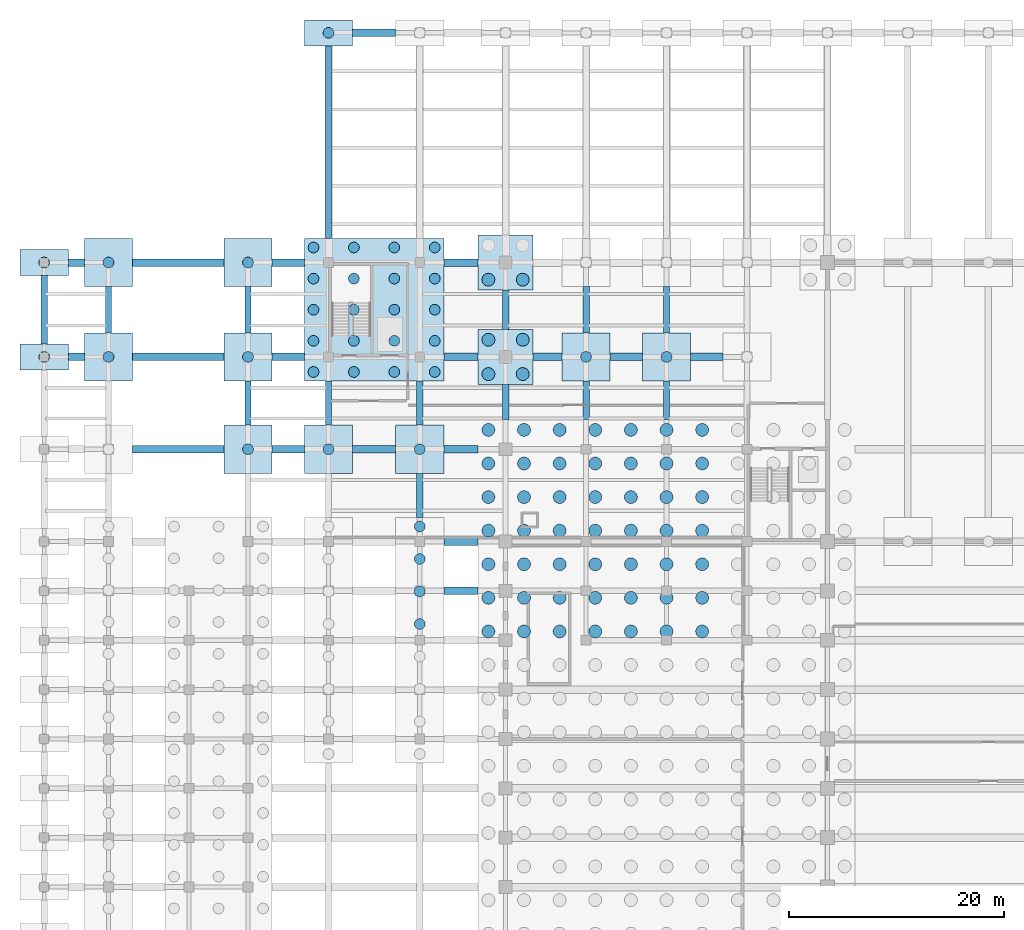
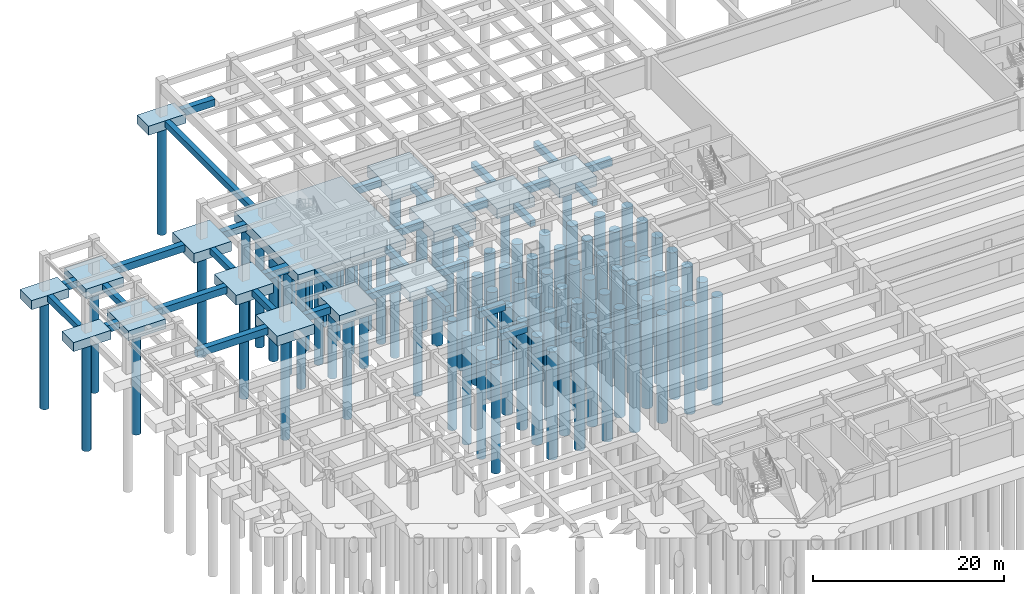
# One storey, part 5 of 32: 91 piles, 47 footings.
"""IFC4 building model written with IfcOpenShell, lengths in metres."""

from ifc_helpers import new_model, si_unit, direction, frame, origin, origin_2d, place, context, subcontext, project, spatial, rectangle, circle, extrude, material, material_profile, profile_set, type_object, element, save


model = new_model("IFC4")

# Units and contexts
model_context = context("Model", 3, precision=1e-05, world=origin(), true_north=direction((0.0, 1.0)))
body_context = subcontext(model_context, "Body", "Model", "MODEL_VIEW")
ifc_project = project(units=[si_unit("LENGTHUNIT", "METRE"), si_unit("AREAUNIT", "SQUARE_METRE"), si_unit("VOLUMEUNIT", "CUBIC_METRE"), si_unit("PLANEANGLEUNIT", "RADIAN"), si_unit("MASSUNIT", "GRAM", prefix="KILO")], contexts=[model_context])

# Site, building, storey
site_placement = place(None, origin())
site = spatial("IfcSite", under=ifc_project, at=site_placement, CompositionType="ELEMENT")
building_placement = place(site_placement, origin())
building = spatial("IfcBuilding", under=site, at=building_placement, Name="Muzn Square Opera House", CompositionType="ELEMENT")
storey_placement = place(building_placement, frame((0.0, 0.0, -4.199951171875)))
storey = spatial("IfcBuildingStorey", under=building, at=storey_placement, Name="B1", CompositionType="ELEMENT", Elevation=-4.199951171875)

# Piles
ifc_material = material(Name="Concrete C40/50", Category="concrete")
ifc_material_profile_1 = material_profile(ifc_material, circle(Radius=0.5, at=origin_2d()), Name="BORED PILE D1000", Category="concrete")
ifc_profile_set_1 = profile_set([ifc_material_profile_1], Name="Concrete C40/50")
pile_type_1 = type_object("IfcPileType", Name="Bored Pile D1000", PredefinedType="BORED", material=ifc_profile_set_1)
for number, where, z_axis, x_axis, name in (
    (1, (35.0, 64.914306640625, -1.570068359375), (0.0, 0.0, -1.0), (1.0, 0.0, 0.0), "Bored Pile BP-B1-BP-D1000-350_649-714"),
    (2, (35.0, 67.94287109375, -1.570068359375), (0.0, 0.0, -1.0), (1.0, 0.0, 0.0), "Bored Pile BP-B1-BP-D1000-350_679-715"),
    (3, (35.0, 70.971435546875, -1.570068359375), (0.0, 0.0, -1.0), (1.0, 0.0, 0.0), "Bored Pile BP-B1-BP-D1000-350_710-716"),
    (4, (35.0, 74.0, -1.570068359375), (0.0, 0.0, -1.0), (1.0, 0.0, 0.0), "Bored Pile BP-B1-BP-D1000-350_740-717"),
    (5, (19.0, 81.199951171875, -1.570068359375), (0.0, 0.0, -1.0), (1.0, 0.0, 0.0), "Bored Pile BP-B1-BP-D1000-190_812-748"),
    (6, (26.5, 81.199951171875, -1.570068359375), (0.0, 0.0, -1.0), (1.0, 0.0, 0.0), "Bored Pile BP-B1-BP-D1000-265_812-749"),
    (7, (35.0, 81.199951171875, -1.570068359375), (0.0, 0.0, -1.0), (1.0, 0.0, 0.0), "Bored Pile BP-B1-BP-D1000-350_812-750"),
    (8, (6.0, 89.800048828125, -1.570068359375), (0.0, 0.0, -1.0), (1.0, 0.0, 0.0), "Bored Pile BP-B1-BP-D1000-60_898-775"),
    (9, (19.0, 89.800048828125, -1.570068359375), (0.0, 0.0, -1.0), (1.0, 0.0, 0.0), "Bored Pile BP-B1-BP-D1000-190_898-776"),
    (10, (25.10009765625, 88.39990234375, -1.570068359375), (0.0, 0.0, -1.0), (1.0, 0.0, 0.0), "Bored Pile BP-B1-BP-D1000-251_884-777"),
    (11, (25.10009765625, 91.300048828125, -1.570068359375), (0.0, 0.0, -1.0), (1.0, 0.0, 0.0), "Bored Pile BP-B1-BP-D1000-251_913-778"),
    (12, (25.10009765625, 94.199951171875, -1.570068359375), (0.0, 0.0, -1.0), (1.0, 0.0, 0.0), "Bored Pile BP-B1-BP-D1000-251_942-779"),
    (13, (25.10009765625, 97.10009765625, -1.570068359375), (0.0, 0.0, -1.0), (1.0, 0.0, 0.0), "Bored Pile BP-B1-BP-D1000-251_971-780"),
    (14, (25.10009765625, 100.0, -1.570068359375), (0.0, 0.0, -1.0), (1.0, 0.0, 0.0), "Bored Pile BP-B1-BP-D1000-251_1000-781"),
    (15, (28.86669921875, 88.39990234375, -1.570068359375), (0.0, 0.0, -1.0), (1.0, 0.0, 0.0), "Bored Pile BP-B1-BP-D1000-289_884-782"),
    (16, (28.86669921875, 91.300048828125, -1.570068359375), (0.0, 0.0, -1.0), (1.0, 0.0, 0.0), "Bored Pile BP-B1-BP-D1000-289_913-783"),
    (17, (28.86669921875, 94.199951171875, -1.570068359375), (0.0, 0.0, -1.0), (1.0, 0.0, 0.0), "Bored Pile BP-B1-BP-D1000-289_942-784"),
    (18, (28.86669921875, 97.10009765625, -1.570068359375), (0.0, 0.0, -1.0), (1.0, 0.0, 0.0), "Bored Pile BP-B1-BP-D1000-289_971-785"),
    (19, (28.86669921875, 100.0, -1.570068359375), (0.0, 0.0, -1.0), (1.0, 0.0, 0.0), "Bored Pile BP-B1-BP-D1000-289_1000-786"),
    (20, (32.63330078125, 88.39990234375, -1.570068359375), (0.0, 0.0, -1.0), (1.0, 0.0, 0.0), "Bored Pile BP-B1-BP-D1000-326_884-787"),
    (21, (32.63330078125, 91.300048828125, -1.570068359375), (0.0, 0.0, -1.0), (1.0, 0.0, 0.0), "Bored Pile BP-B1-BP-D1000-326_913-788"),
    (22, (32.63330078125, 94.199951171875, -1.570068359375), (0.0, 0.0, -1.0), (1.0, 0.0, 0.0), "Bored Pile BP-B1-BP-D1000-326_942-789"),
    (23, (32.63330078125, 97.10009765625, -1.570068359375), (0.0, 0.0, -1.0), (1.0, 0.0, 0.0), "Bored Pile BP-B1-BP-D1000-326_971-790"),
    (24, (32.63330078125, 100.0, -1.570068359375), (0.0, 0.0, -1.0), (1.0, 0.0, 0.0), "Bored Pile BP-B1-BP-D1000-326_1000-791"),
    (25, (36.39990234375, 88.39990234375, -1.570068359375), (0.0, 0.0, -1.0), (1.0, 0.0, 0.0), "Bored Pile BP-B1-BP-D1000-364_884-792"),
    (26, (36.39990234375, 91.300048828125, -1.570068359375), (0.0, 0.0, -1.0), (1.0, 0.0, 0.0), "Bored Pile BP-B1-BP-D1000-364_913-793"),
    (27, (36.39990234375, 94.199951171875, -1.570068359375), (0.0, 0.0, -1.0), (1.0, 0.0, 0.0), "Bored Pile BP-B1-BP-D1000-364_942-794"),
    (28, (36.39990234375, 97.10009765625, -1.570068359375), (0.0, 0.0, -1.0), (1.0, 0.0, 0.0), "Bored Pile BP-B1-BP-D1000-364_971-795"),
    (29, (36.39990234375, 100.0, -1.570068359375), (0.0, 0.0, -1.0), (1.0, 0.0, 0.0), "Bored Pile BP-B1-BP-D1000-364_1000-796"),
    (30, (50.5, 89.800048828125, -1.570068359375), (0.0, 0.0, -1.0), (1.0, 0.0, 0.0), "Bored Pile BP-B1-BP-D1000-505_898-797"),
    (31, (58.0, 89.800048828125, -1.570068359375), (0.0, 0.0, -1.0), (1.0, 0.0, 0.0), "Bored Pile BP-B1-BP-D1000-580_898-798"),
):
    element("IfcPile", number, at=place(storey_placement, frame(where, z_axis=z_axis, x_axis=x_axis)), inside=storey, type_object=pile_type_1, Name=name, PredefinedType="BORED", context=body_context, shape_type="SweptSolid", body=[
        extrude(circle(Radius=0.5, at=origin_2d()), origin(), (0.0, 0.0, 1.0), 13.929931640625),
    ])
pile_placement = place(storey_placement, frame((0.0, 89.800048828125, -1.469970703125), z_axis=(0.0, 0.0, -1.0), x_axis=(1.0, 0.0, 0.0)))
element("IfcPile", 32, at=pile_placement, inside=storey, type_object=pile_type_1, Name="Bored Pile BP-B1-BP-D1000-0_898-807", PredefinedType="BORED", context=body_context, shape_type="SweptSolid", body=[
    extrude(circle(Radius=0.5, at=origin_2d()), origin(), (0.0, 0.0, 1.0), 14.030029296875),
])
for number, where, z_axis, x_axis, name in (
    (33, (6.0, 98.60009765625, -1.570068359375), (0.0, 0.0, -1.0), (1.0, 0.0, 0.0), "Bored Pile BP-B1-BP-D1000-60_986-821"),
    (34, (19.0, 98.60009765625, -1.570068359375), (0.0, 0.0, -1.0), (1.0, 0.0, 0.0), "Bored Pile BP-B1-BP-D1000-190_986-822"),
):
    element("IfcPile", number, at=place(storey_placement, frame(where, z_axis=z_axis, x_axis=x_axis)), inside=storey, type_object=pile_type_1, Name=name, PredefinedType="BORED", context=body_context, shape_type="SweptSolid", body=[
        extrude(circle(Radius=0.5, at=origin_2d()), origin(), (0.0, 0.0, 1.0), 13.929931640625),
    ])
for number, where, z_axis, x_axis, name in (
    (35, (0.0, 98.60009765625, -1.469970703125), (0.0, 0.0, -1.0), (1.0, 0.0, 0.0), "Bored Pile BP-B1-BP-D1000-0_986-833"),
    (36, (26.5, 120.0, -1.469970703125), (0.0, 0.0, -1.0), (1.0, 0.0, 0.0), "Bored Pile BP-B1-BP-D1000-265_1200-838"),
):
    element("IfcPile", number, at=place(storey_placement, frame(where, z_axis=z_axis, x_axis=x_axis)), inside=storey, type_object=pile_type_1, Name=name, PredefinedType="BORED", context=body_context, shape_type="SweptSolid", body=[
        extrude(circle(Radius=0.5, at=origin_2d()), origin(), (0.0, 0.0, 1.0), 14.030029296875),
    ])
ifc_material_profile_2 = material_profile(ifc_material, circle(Radius=0.60009765625, at=origin_2d()), Name="BORED PILE D1200", Category="concrete")
ifc_profile_set_2 = profile_set([ifc_material_profile_2], Name="Concrete C40/50")
pile_type_2 = type_object("IfcPileType", Name="Bored Pile D1200", PredefinedType="BORED", material=ifc_profile_set_2)
for number, where, z_axis, x_axis, name in (
    (37, (41.39990234375, 64.219970703125, -1.719970703125), (0.0, 0.0, -1.0), (1.0, 0.0, 0.0), "Bored Pile BP-B1-BP-D1200-414_642-65"),
    (38, (41.39990234375, 67.35009765625, -1.719970703125), (0.0, 0.0, -1.0), (1.0, 0.0, 0.0), "Bored Pile BP-B1-BP-D1200-414_674-66"),
    (39, (41.39990234375, 70.47998046875, -1.719970703125), (0.0, 0.0, -1.0), (1.0, 0.0, 0.0), "Bored Pile BP-B1-BP-D1200-414_705-67"),
    (40, (41.39990234375, 73.610107421875, -1.719970703125), (0.0, 0.0, -1.0), (1.0, 0.0, 0.0), "Bored Pile BP-B1-BP-D1200-414_736-68"),
    (41, (41.39990234375, 76.739990234375, -1.719970703125), (0.0, 0.0, -1.0), (1.0, 0.0, 0.0), "Bored Pile BP-B1-BP-D1200-414_767-69"),
    (42, (41.39990234375, 79.8701171875, -1.719970703125), (0.0, 0.0, -1.0), (1.0, 0.0, 0.0), "Bored Pile BP-B1-BP-D1200-414_799-70"),
    (43, (41.39990234375, 83.0, -1.719970703125), (0.0, 0.0, -1.0), (1.0, 0.0, 0.0), "Bored Pile BP-B1-BP-D1200-414_830-71"),
    (44, (44.719970703125, 64.219970703125, -1.719970703125), (0.0, 0.0, -1.0), (1.0, 0.0, 0.0), "Bored Pile BP-B1-BP-D1200-447_642-86"),
    (45, (44.719970703125, 67.35009765625, -1.719970703125), (0.0, 0.0, -1.0), (1.0, 0.0, 0.0), "Bored Pile BP-B1-BP-D1200-447_674-87"),
    (46, (44.719970703125, 70.47998046875, -1.719970703125), (0.0, 0.0, -1.0), (1.0, 0.0, 0.0), "Bored Pile BP-B1-BP-D1200-447_705-88"),
    (47, (44.719970703125, 73.610107421875, -1.719970703125), (0.0, 0.0, -1.0), (1.0, 0.0, 0.0), "Bored Pile BP-B1-BP-D1200-447_736-89"),
    (48, (44.719970703125, 76.739990234375, -1.719970703125), (0.0, 0.0, -1.0), (1.0, 0.0, 0.0), "Bored Pile BP-B1-BP-D1200-447_767-90"),
    (49, (44.719970703125, 79.8701171875, -1.719970703125), (0.0, 0.0, -1.0), (1.0, 0.0, 0.0), "Bored Pile BP-B1-BP-D1200-447_799-91"),
    (50, (44.719970703125, 83.0, -1.719970703125), (0.0, 0.0, -1.0), (1.0, 0.0, 0.0), "Bored Pile BP-B1-BP-D1200-447_830-92"),
    (51, (48.0400390625, 64.219970703125, -1.719970703125), (0.0, 0.0, -1.0), (1.0, 0.0, 0.0), "Bored Pile BP-B1-BP-D1200-480_642-107"),
    (52, (48.0400390625, 67.35009765625, -1.719970703125), (0.0, 0.0, -1.0), (1.0, 0.0, 0.0), "Bored Pile BP-B1-BP-D1200-480_674-108"),
    (53, (48.0400390625, 70.47998046875, -1.719970703125), (0.0, 0.0, -1.0), (1.0, 0.0, 0.0), "Bored Pile BP-B1-BP-D1200-480_705-109"),
    (54, (48.0400390625, 73.610107421875, -1.719970703125), (0.0, 0.0, -1.0), (1.0, 0.0, 0.0), "Bored Pile BP-B1-BP-D1200-480_736-110"),
    (55, (48.0400390625, 76.739990234375, -1.719970703125), (0.0, 0.0, -1.0), (1.0, 0.0, 0.0), "Bored Pile BP-B1-BP-D1200-480_767-111"),
    (56, (48.0400390625, 79.8701171875, -1.719970703125), (0.0, 0.0, -1.0), (1.0, 0.0, 0.0), "Bored Pile BP-B1-BP-D1200-480_799-112"),
    (57, (48.0400390625, 83.0, -1.719970703125), (0.0, 0.0, -1.0), (1.0, 0.0, 0.0), "Bored Pile BP-B1-BP-D1200-480_830-113"),
    (58, (51.360107421875, 64.219970703125, -1.719970703125), (0.0, 0.0, -1.0), (1.0, 0.0, 0.0), "Bored Pile BP-B1-BP-D1200-514_642-128"),
    (59, (51.360107421875, 67.35009765625, -1.719970703125), (0.0, 0.0, -1.0), (1.0, 0.0, 0.0), "Bored Pile BP-B1-BP-D1200-514_674-129"),
    (60, (51.360107421875, 70.47998046875, -1.719970703125), (0.0, 0.0, -1.0), (1.0, 0.0, 0.0), "Bored Pile BP-B1-BP-D1200-514_705-130"),
    (61, (51.360107421875, 73.610107421875, -1.719970703125), (0.0, 0.0, -1.0), (1.0, 0.0, 0.0), "Bored Pile BP-B1-BP-D1200-514_736-131"),
    (62, (51.360107421875, 76.739990234375, -1.719970703125), (0.0, 0.0, -1.0), (1.0, 0.0, 0.0), "Bored Pile BP-B1-BP-D1200-514_767-132"),
    (63, (51.360107421875, 79.8701171875, -1.719970703125), (0.0, 0.0, -1.0), (1.0, 0.0, 0.0), "Bored Pile BP-B1-BP-D1200-514_799-133"),
    (64, (51.360107421875, 83.0, -1.719970703125), (0.0, 0.0, -1.0), (1.0, 0.0, 0.0), "Bored Pile BP-B1-BP-D1200-514_830-134"),
    (65, (54.679931640625, 64.219970703125, -1.719970703125), (0.0, 0.0, -1.0), (1.0, 0.0, 0.0), "Bored Pile BP-B1-BP-D1200-547_642-149"),
    (66, (54.679931640625, 67.35009765625, -1.719970703125), (0.0, 0.0, -1.0), (1.0, 0.0, 0.0), "Bored Pile BP-B1-BP-D1200-547_674-150"),
    (67, (54.679931640625, 70.47998046875, -1.719970703125), (0.0, 0.0, -1.0), (1.0, 0.0, 0.0), "Bored Pile BP-B1-BP-D1200-547_705-151"),
    (68, (54.679931640625, 73.610107421875, -1.719970703125), (0.0, 0.0, -1.0), (1.0, 0.0, 0.0), "Bored Pile BP-B1-BP-D1200-547_736-152"),
    (69, (54.679931640625, 76.739990234375, -1.719970703125), (0.0, 0.0, -1.0), (1.0, 0.0, 0.0), "Bored Pile BP-B1-BP-D1200-547_767-153"),
    (70, (54.679931640625, 79.8701171875, -1.719970703125), (0.0, 0.0, -1.0), (1.0, 0.0, 0.0), "Bored Pile BP-B1-BP-D1200-547_799-154"),
    (71, (54.679931640625, 83.0, -1.719970703125), (0.0, 0.0, -1.0), (1.0, 0.0, 0.0), "Bored Pile BP-B1-BP-D1200-547_830-155"),
    (72, (58.0, 64.219970703125, -1.719970703125), (0.0, 0.0, -1.0), (1.0, 0.0, 0.0), "Bored Pile BP-B1-BP-D1200-580_642-170"),
    (73, (58.0, 67.35009765625, -1.719970703125), (0.0, 0.0, -1.0), (1.0, 0.0, 0.0), "Bored Pile BP-B1-BP-D1200-580_674-171"),
    (74, (58.0, 70.47998046875, -1.719970703125), (0.0, 0.0, -1.0), (1.0, 0.0, 0.0), "Bored Pile BP-B1-BP-D1200-580_705-172"),
    (75, (58.0, 73.610107421875, -1.719970703125), (0.0, 0.0, -1.0), (1.0, 0.0, 0.0), "Bored Pile BP-B1-BP-D1200-580_736-173"),
    (76, (58.0, 76.739990234375, -1.719970703125), (0.0, 0.0, -1.0), (1.0, 0.0, 0.0), "Bored Pile BP-B1-BP-D1200-580_767-174"),
    (77, (58.0, 79.8701171875, -1.719970703125), (0.0, 0.0, -1.0), (1.0, 0.0, 0.0), "Bored Pile BP-B1-BP-D1200-580_799-175"),
    (78, (58.0, 83.0, -1.719970703125), (0.0, 0.0, -1.0), (1.0, 0.0, 0.0), "Bored Pile BP-B1-BP-D1200-580_830-176"),
    (79, (61.320068359375, 64.219970703125, -1.719970703125), (0.0, 0.0, -1.0), (1.0, 0.0, 0.0), "Bored Pile BP-B1-BP-D1200-613_642-191"),
    (80, (61.320068359375, 67.35009765625, -1.719970703125), (0.0, 0.0, -1.0), (1.0, 0.0, 0.0), "Bored Pile BP-B1-BP-D1200-613_674-192"),
    (81, (61.320068359375, 70.47998046875, -1.719970703125), (0.0, 0.0, -1.0), (1.0, 0.0, 0.0), "Bored Pile BP-B1-BP-D1200-613_705-193"),
    (82, (61.320068359375, 73.610107421875, -1.719970703125), (0.0, 0.0, -1.0), (1.0, 0.0, 0.0), "Bored Pile BP-B1-BP-D1200-613_736-194"),
    (83, (61.320068359375, 76.739990234375, -1.719970703125), (0.0, 0.0, -1.0), (1.0, 0.0, 0.0), "Bored Pile BP-B1-BP-D1200-613_767-195"),
    (84, (61.320068359375, 79.8701171875, -1.719970703125), (0.0, 0.0, -1.0), (1.0, 0.0, 0.0), "Bored Pile BP-B1-BP-D1200-613_799-196"),
    (85, (61.320068359375, 83.0, -1.719970703125), (0.0, 0.0, -1.0), (1.0, 0.0, 0.0), "Bored Pile BP-B1-BP-D1200-613_830-197"),
    (86, (41.39990234375, 88.199951171875, -1.719970703125), (0.0, 0.0, -1.0), (1.0, 0.0, 0.0), "Bored Pile BP-B1-BP-D1200-414_882-755"),
    (87, (41.39990234375, 91.39990234375, -1.719970703125), (0.0, 0.0, -1.0), (1.0, 0.0, 0.0), "Bored Pile BP-B1-BP-D1200-414_914-756"),
    (88, (44.60009765625, 88.199951171875, -1.719970703125), (0.0, 0.0, -1.0), (1.0, 0.0, 0.0), "Bored Pile BP-B1-BP-D1200-446_882-757"),
    (89, (44.60009765625, 91.39990234375, -1.719970703125), (0.0, 0.0, -1.0), (1.0, 0.0, 0.0), "Bored Pile BP-B1-BP-D1200-446_914-758"),
    (90, (41.39990234375, 97.0, -1.719970703125), (0.0, 0.0, -1.0), (1.0, 0.0, 0.0), "Bored Pile BP-B1-BP-D1200-414_970-809"),
    (91, (44.60009765625, 97.0, -1.719970703125), (0.0, 0.0, -1.0), (1.0, 0.0, 0.0), "Bored Pile BP-B1-BP-D1200-446_970-811"),
):
    element("IfcPile", number, at=place(storey_placement, frame(where, z_axis=z_axis, x_axis=x_axis)), inside=storey, type_object=pile_type_2, Name=name, PredefinedType="BORED", context=body_context, shape_type="SweptSolid", body=[
        extrude(circle(Radius=0.60009765625, at=origin_2d()), origin(), (0.0, 0.0, 1.0), 13.780029296875),
    ])

# Footings
ifc_material_profile_3 = material_profile(ifc_material, rectangle(XDim=0.60009765625, YDim=0.800048828125, at=origin_2d()), Name="RCTB 600x800", Category="concrete")
ifc_profile_set_3 = profile_set([ifc_material_profile_3], Name="Concrete C40/50")
footing_type_1 = type_object("IfcFootingType", Name="Foundation Tie Beam 600x800", PredefinedType="FOOTING_BEAM", material=ifc_profile_set_3)
footing_1_placement = place(storey_placement, frame((0.0, 91.0, -0.820068359375), z_axis=(0.0, 1.0, 0.0), x_axis=(-1.0, 0.0, 0.0)))
element("IfcFooting", 92, at=footing_1_placement, inside=storey, type_object=footing_type_1, Name="Foundation Tie Beam FTB-Y237", PredefinedType="FOOTING_BEAM", context=body_context, shape_type="SweptSolid", body=[
    extrude(rectangle(XDim=0.60009765625, YDim=0.800048828125, at=origin_2d()), origin(), (0.0, 0.0, 1.0), 6.39990234375),
])
footing_2_placement = place(storey_placement, frame((6.0, 92.050048828125, -0.820068359375), z_axis=(0.0, 1.0, 0.0), x_axis=(-1.0, 0.0, 0.0)))
element("IfcFooting", 93, at=footing_2_placement, inside=storey, type_object=footing_type_1, Name="Foundation Tie Beam FTB-Y243", PredefinedType="FOOTING_BEAM", context=body_context, shape_type="SweptSolid", body=[
    extrude(rectangle(XDim=0.60009765625, YDim=0.800048828125, at=origin_2d()), origin(), (0.0, 0.0, 1.0), 4.300048828125),
])
footing_3_placement = place(storey_placement, frame((19.0, 83.449951171875, -0.820068359375), z_axis=(0.0, 1.0, 0.0), x_axis=(-1.0, 0.0, 0.0)))
element("IfcFooting", 94, at=footing_3_placement, inside=storey, type_object=footing_type_1, Name="Foundation Tie Beam FTB-Y251", PredefinedType="FOOTING_BEAM", context=body_context, shape_type="SweptSolid", body=[
    extrude(rectangle(XDim=0.60009765625, YDim=0.800048828125, at=origin_2d()), origin(), (0.0, 0.0, 1.0), 4.10009765625),
])
footing_4_placement = place(storey_placement, frame((19.0, 92.050048828125, -0.820068359375), z_axis=(0.0, 1.0, 0.0), x_axis=(-1.0, 0.0, 0.0)))
element("IfcFooting", 95, at=footing_4_placement, inside=storey, type_object=footing_type_1, Name="Foundation Tie Beam FTB-Y252", PredefinedType="FOOTING_BEAM", context=body_context, shape_type="SweptSolid", body=[
    extrude(rectangle(XDim=0.60009765625, YDim=0.800048828125, at=origin_2d()), origin(), (0.0, 0.0, 1.0), 4.300048828125),
])
footing_5_placement = place(storey_placement, frame((26.5, 83.449951171875, -0.820068359375), z_axis=(0.0, 1.0, 0.0), x_axis=(-1.0, 0.0, 0.0)))
element("IfcFooting", 96, at=footing_5_placement, inside=storey, type_object=footing_type_1, Name="Foundation Tie Beam FTB-Y258", PredefinedType="FOOTING_BEAM", context=body_context, shape_type="SweptSolid", body=[
    extrude(rectangle(XDim=0.60009765625, YDim=0.800048828125, at=origin_2d()), origin(), (0.0, 0.0, 1.0), 4.10009765625),
])
footing_6_placement = place(storey_placement, frame((26.5, 100.85009765625, -0.820068359375), z_axis=(0.0, 1.0, 0.0), x_axis=(-1.0, 0.0, 0.0)))
element("IfcFooting", 97, at=footing_6_placement, inside=storey, type_object=footing_type_1, Name="Foundation Tie Beam FTB-Y259", PredefinedType="FOOTING_BEAM", context=body_context, shape_type="SweptSolid", body=[
    extrude(rectangle(XDim=0.60009765625, YDim=0.800048828125, at=origin_2d()), origin(), (0.0, 0.0, 1.0), 17.949951171875),
])
footing_7_placement = place(storey_placement, frame((35.0, 74.85009765625, -0.820068359375), z_axis=(0.0, 1.0, 0.0), x_axis=(-1.0, 0.0, 0.0)))
element("IfcFooting", 98, at=footing_7_placement, inside=storey, type_object=footing_type_1, Name="Foundation Tie Beam FTB-Y264", PredefinedType="FOOTING_BEAM", context=body_context, shape_type="SweptSolid", body=[
    extrude(rectangle(XDim=0.60009765625, YDim=0.800048828125, at=origin_2d()), origin(), (0.0, 0.0, 1.0), 4.099853515625),
])
footing_8_placement = place(storey_placement, frame((35.0, 83.449951171875, -0.820068359375), z_axis=(0.0, 1.0, 0.0), x_axis=(-1.0, 0.0, 0.0)))
element("IfcFooting", 99, at=footing_8_placement, inside=storey, type_object=footing_type_1, Name="Foundation Tie Beam FTB-Y265", PredefinedType="FOOTING_BEAM", context=body_context, shape_type="SweptSolid", body=[
    extrude(rectangle(XDim=0.60009765625, YDim=0.800048828125, at=origin_2d()), origin(), (0.0, 0.0, 1.0), 4.10009765625),
])
footing_9_placement = place(storey_placement, frame((43.0, 83.949951171875, -0.820068359375), z_axis=(0.0, 1.0, 0.0), x_axis=(-1.0, 0.0, 0.0)))
element("IfcFooting", 100, at=footing_9_placement, inside=storey, type_object=footing_type_1, Name="Foundation Tie Beam FTB-Y270", PredefinedType="FOOTING_BEAM", context=body_context, shape_type="SweptSolid", body=[
    extrude(rectangle(XDim=0.60009765625, YDim=0.800048828125, at=origin_2d()), origin(), (0.0, 0.0, 1.0), 3.300048828125),
])
footing_10_placement = place(storey_placement, frame((43.0, 92.35009765625, -0.820068359375), z_axis=(0.0, 1.0, 0.0), x_axis=(-1.0, 0.0, 0.0)))
element("IfcFooting", 101, at=footing_10_placement, inside=storey, type_object=footing_type_1, Name="Foundation Tie Beam FTB-Y271", PredefinedType="FOOTING_BEAM", context=body_context, shape_type="SweptSolid", body=[
    extrude(rectangle(XDim=0.60009765625, YDim=0.800048828125, at=origin_2d()), origin(), (0.0, 0.0, 1.0), 3.699951171875),
])
footing_11_placement = place(storey_placement, frame((50.5, 83.949951171875, -0.820068359375), z_axis=(0.0, 1.0, 0.0), x_axis=(-1.0, 0.0, 0.0)))
element("IfcFooting", 102, at=footing_11_placement, inside=storey, type_object=footing_type_1, Name="Foundation Tie Beam FTB-Y276", PredefinedType="FOOTING_BEAM", context=body_context, shape_type="SweptSolid", body=[
    extrude(rectangle(XDim=0.60009765625, YDim=0.800048828125, at=origin_2d()), origin(), (0.0, 0.0, 1.0), 3.60009765625),
])
footing_12_placement = place(storey_placement, frame((50.5, 92.050048828125, -0.820068359375), z_axis=(0.0, 1.0, 0.0), x_axis=(-1.0, 0.0, 0.0)))
element("IfcFooting", 103, at=footing_12_placement, inside=storey, type_object=footing_type_1, Name="Foundation Tie Beam FTB-Y277", PredefinedType="FOOTING_BEAM", context=body_context, shape_type="SweptSolid", body=[
    extrude(rectangle(XDim=0.60009765625, YDim=0.800048828125, at=origin_2d()), origin(), (0.0, 0.0, 1.0), 4.300048828125),
])
footing_13_placement = place(storey_placement, frame((58.0, 83.949951171875, -0.820068359375), z_axis=(0.0, 1.0, 0.0), x_axis=(-1.0, 0.0, 0.0)))
element("IfcFooting", 104, at=footing_13_placement, inside=storey, type_object=footing_type_1, Name="Foundation Tie Beam FTB-Y279", PredefinedType="FOOTING_BEAM", context=body_context, shape_type="SweptSolid", body=[
    extrude(rectangle(XDim=0.60009765625, YDim=0.800048828125, at=origin_2d()), origin(), (0.0, 0.0, 1.0), 3.60009765625),
])
footing_14_placement = place(storey_placement, frame((58.0, 92.050048828125, -0.820068359375), z_axis=(0.0, 1.0, 0.0), x_axis=(-1.0, 0.0, 0.0)))
element("IfcFooting", 105, at=footing_14_placement, inside=storey, type_object=footing_type_1, Name="Foundation Tie Beam FTB-Y280", PredefinedType="FOOTING_BEAM", context=body_context, shape_type="SweptSolid", body=[
    extrude(rectangle(XDim=0.60009765625, YDim=0.800048828125, at=origin_2d()), origin(), (0.0, 0.0, 1.0), 4.300048828125),
])
ifc_material_profile_4 = material_profile(ifc_material, rectangle(XDim=0.699951171875, YDim=0.89990234375, at=origin_2d()), Name="RCTB 700x900", Category="concrete")
ifc_profile_set_4 = profile_set([ifc_material_profile_4], Name="Concrete C40/50")
footing_type_2 = type_object("IfcFootingType", Name="Foundation Tie Beam 700x900", PredefinedType="FOOTING_BEAM", material=ifc_profile_set_4)
for number, where, z_axis, x_axis, name in (
    (106, (37.25, 68.0, -0.8701171875), (1.0, 0.0, 0.0), (0.0, 1.0, 0.0), "Foundation Tie Beam FTB-X142"),
    (107, (37.25, 72.60009765625, -0.8701171875), (1.0, 0.0, 0.0), (0.0, 1.0, 0.0), "Foundation Tie Beam FTB-X153"),
):
    element("IfcFooting", number, at=place(storey_placement, frame(where, z_axis=z_axis, x_axis=x_axis)), inside=storey, type_object=footing_type_2, Name=name, PredefinedType="FOOTING_BEAM", context=body_context, shape_type="SweptSolid", body=[
        extrude(rectangle(XDim=0.699951171875, YDim=0.89990234375, at=origin_2d()), origin(), (0.0, 0.0, 1.0), 3.199951171875),
    ])
footing_15_placement = place(storey_placement, frame((8.25, 81.199951171875, -0.8701171875), z_axis=(1.0, 0.0, 0.0), x_axis=(0.0, 1.0, 0.0)))
element("IfcFooting", 108, at=footing_15_placement, inside=storey, type_object=footing_type_2, Name="Foundation Tie Beam FTB-X164", PredefinedType="FOOTING_BEAM", context=body_context, shape_type="SweptSolid", body=[
    extrude(rectangle(XDim=0.699951171875, YDim=0.89990234375, at=origin_2d()), origin(), (0.0, 0.0, 1.0), 8.5),
])
footing_16_placement = place(storey_placement, frame((21.25, 81.199951171875, -0.8701171875), z_axis=(1.0, 0.0, 0.0), x_axis=(0.0, 1.0, 0.0)))
element("IfcFooting", 109, at=footing_16_placement, inside=storey, type_object=footing_type_2, Name="Foundation Tie Beam FTB-X165", PredefinedType="FOOTING_BEAM", context=body_context, shape_type="SweptSolid", body=[
    extrude(rectangle(XDim=0.699951171875, YDim=0.89990234375, at=origin_2d()), origin(), (0.0, 0.0, 1.0), 3.0),
])
footing_17_placement = place(storey_placement, frame((28.75, 81.199951171875, -0.8701171875), z_axis=(1.0, 0.0, 0.0), x_axis=(0.0, 1.0, 0.0)))
element("IfcFooting", 110, at=footing_17_placement, inside=storey, type_object=footing_type_2, Name="Foundation Tie Beam FTB-X166", PredefinedType="FOOTING_BEAM", context=body_context, shape_type="SweptSolid", body=[
    extrude(rectangle(XDim=0.699951171875, YDim=0.89990234375, at=origin_2d()), origin(), (0.0, 0.0, 1.0), 4.0),
])
footing_18_placement = place(storey_placement, frame((37.25, 81.199951171875, -0.8701171875), z_axis=(1.0, 0.0, 0.0), x_axis=(0.0, 1.0, 0.0)))
element("IfcFooting", 111, at=footing_18_placement, inside=storey, type_object=footing_type_2, Name="Foundation Tie Beam FTB-X167", PredefinedType="FOOTING_BEAM", context=body_context, shape_type="SweptSolid", body=[
    extrude(rectangle(XDim=0.699951171875, YDim=0.89990234375, at=origin_2d()), origin(), (0.0, 0.0, 1.0), 3.199951171875),
])
footing_19_placement = place(storey_placement, frame((2.25, 89.800048828125, -0.8701171875), z_axis=(1.0, 0.0, 0.0), x_axis=(0.0, 1.0, 0.0)))
element("IfcFooting", 112, at=footing_19_placement, inside=storey, type_object=footing_type_2, Name="Foundation Tie Beam FTB-X172", PredefinedType="FOOTING_BEAM", context=body_context, shape_type="SweptSolid", body=[
    extrude(rectangle(XDim=0.699951171875, YDim=0.89990234375, at=origin_2d()), origin(), (0.0, 0.0, 1.0), 1.5),
])
footing_20_placement = place(storey_placement, frame((8.25, 89.800048828125, -0.8701171875), z_axis=(1.0, 0.0, 0.0), x_axis=(0.0, 1.0, 0.0)))
element("IfcFooting", 113, at=footing_20_placement, inside=storey, type_object=footing_type_2, Name="Foundation Tie Beam FTB-X173", PredefinedType="FOOTING_BEAM", context=body_context, shape_type="SweptSolid", body=[
    extrude(rectangle(XDim=0.699951171875, YDim=0.89990234375, at=origin_2d()), origin(), (0.0, 0.0, 1.0), 8.5),
])
footing_21_placement = place(storey_placement, frame((21.25, 89.800048828125, -0.8701171875), z_axis=(1.0, 0.0, 0.0), x_axis=(0.0, 1.0, 0.0)))
element("IfcFooting", 114, at=footing_21_placement, inside=storey, type_object=footing_type_2, Name="Foundation Tie Beam FTB-X174", PredefinedType="FOOTING_BEAM", context=body_context, shape_type="SweptSolid", body=[
    extrude(rectangle(XDim=0.699951171875, YDim=0.89990234375, at=origin_2d()), origin(), (0.0, 0.0, 1.0), 3.0),
])
footing_22_placement = place(storey_placement, frame((37.25, 89.800048828125, -0.8701171875), z_axis=(1.0, 0.0, 0.0), x_axis=(0.0, 1.0, 0.0)))
element("IfcFooting", 115, at=footing_22_placement, inside=storey, type_object=footing_type_2, Name="Foundation Tie Beam FTB-X175", PredefinedType="FOOTING_BEAM", context=body_context, shape_type="SweptSolid", body=[
    extrude(rectangle(XDim=0.699951171875, YDim=0.89990234375, at=origin_2d()), origin(), (0.0, 0.0, 1.0), 3.199951171875),
])
footing_23_placement = place(storey_placement, frame((45.550048828125, 89.800048828125, -0.8701171875), z_axis=(1.0, 0.0, 0.0), x_axis=(0.0, 1.0, 0.0)))
element("IfcFooting", 116, at=footing_23_placement, inside=storey, type_object=footing_type_2, Name="Foundation Tie Beam FTB-X176", PredefinedType="FOOTING_BEAM", context=body_context, shape_type="SweptSolid", body=[
    extrude(rectangle(XDim=0.699951171875, YDim=0.89990234375, at=origin_2d()), origin(), (0.0, 0.0, 1.0), 2.699951171875),
])
for number, where, z_axis, x_axis, name in (
    (117, (52.75, 89.800048828125, -0.8701171875), (1.0, 0.0, 0.0), (0.0, 1.0, 0.0), "Foundation Tie Beam FTB-X177"),
    (118, (60.25, 89.800048828125, -0.8701171875), (1.0, 0.0, 0.0), (0.0, 1.0, 0.0), "Foundation Tie Beam FTB-X178"),
):
    element("IfcFooting", number, at=place(storey_placement, frame(where, z_axis=z_axis, x_axis=x_axis)), inside=storey, type_object=footing_type_2, Name=name, PredefinedType="FOOTING_BEAM", context=body_context, shape_type="SweptSolid", body=[
        extrude(rectangle(XDim=0.699951171875, YDim=0.89990234375, at=origin_2d()), origin(), (0.0, 0.0, 1.0), 3.0),
    ])
footing_24_placement = place(storey_placement, frame((2.25, 98.60009765625, -0.8701171875), z_axis=(1.0, 0.0, 0.0), x_axis=(0.0, 1.0, 0.0)))
element("IfcFooting", 119, at=footing_24_placement, inside=storey, type_object=footing_type_2, Name="Foundation Tie Beam FTB-X187", PredefinedType="FOOTING_BEAM", context=body_context, shape_type="SweptSolid", body=[
    extrude(rectangle(XDim=0.699951171875, YDim=0.89990234375, at=origin_2d()), origin(), (0.0, 0.0, 1.0), 1.5),
])
footing_25_placement = place(storey_placement, frame((8.25, 98.60009765625, -0.8701171875), z_axis=(1.0, 0.0, 0.0), x_axis=(0.0, 1.0, 0.0)))
element("IfcFooting", 120, at=footing_25_placement, inside=storey, type_object=footing_type_2, Name="Foundation Tie Beam FTB-X188", PredefinedType="FOOTING_BEAM", context=body_context, shape_type="SweptSolid", body=[
    extrude(rectangle(XDim=0.699951171875, YDim=0.89990234375, at=origin_2d()), origin(), (0.0, 0.0, 1.0), 8.5),
])
footing_26_placement = place(storey_placement, frame((21.25, 98.60009765625, -0.8701171875), z_axis=(1.0, 0.0, 0.0), x_axis=(0.0, 1.0, 0.0)))
element("IfcFooting", 121, at=footing_26_placement, inside=storey, type_object=footing_type_2, Name="Foundation Tie Beam FTB-X189", PredefinedType="FOOTING_BEAM", context=body_context, shape_type="SweptSolid", body=[
    extrude(rectangle(XDim=0.699951171875, YDim=0.89990234375, at=origin_2d()), origin(), (0.0, 0.0, 1.0), 3.0),
])
footing_27_placement = place(storey_placement, frame((37.25, 98.60009765625, -0.8701171875), z_axis=(1.0, 0.0, 0.0), x_axis=(0.0, 1.0, 0.0)))
element("IfcFooting", 122, at=footing_27_placement, inside=storey, type_object=footing_type_2, Name="Foundation Tie Beam FTB-X190", PredefinedType="FOOTING_BEAM", context=body_context, shape_type="SweptSolid", body=[
    extrude(rectangle(XDim=0.699951171875, YDim=0.89990234375, at=origin_2d()), origin(), (0.0, 0.0, 1.0), 3.199951171875),
])
footing_28_placement = place(storey_placement, frame((28.75, 120.0, -0.8701171875), z_axis=(1.0, 0.0, 0.0), x_axis=(0.0, 1.0, 0.0)))
element("IfcFooting", 123, at=footing_28_placement, inside=storey, type_object=footing_type_2, Name="Foundation Tie Beam FTB-X207", PredefinedType="FOOTING_BEAM", context=body_context, shape_type="SweptSolid", body=[
    extrude(rectangle(XDim=0.699951171875, YDim=0.89990234375, at=origin_2d()), origin(), (0.0, 0.0, 1.0), 4.0),
])
footing_type_3 = type_object("IfcFootingType", Name="Pile Cap 13300x13000x1250", PredefinedType="PILE_CAP", material=ifc_material)
footing_29_placement = place(storey_placement, frame((30.75, 94.199951171875, -1.670166015625), z_axis=(0.0, 0.0, 1.0), x_axis=(1.0, 0.0, 0.0)))
element("IfcFooting", 124, at=footing_29_placement, inside=storey, type_object=footing_type_3, Name="Pile Cap PC-B1-103", PredefinedType="PILE_CAP", context=body_context, shape_type="SweptSolid", body=[
    extrude(rectangle(XDim=13.0, YDim=13.300048828125, at=origin_2d()), origin(), (0.0, 0.0, 1.0), 1.25),
])
footing_type_4 = type_object("IfcFootingType", Name="Pile Cap 4500x2400x1150", PredefinedType="PILE_CAP", material=ifc_material)
for number, where, z_axis, x_axis, name in (
    (125, (0.0, 89.800048828125, -1.570068359375), (0.0, 0.0, 1.0), (1.0, 0.0, 0.0), "Pile Cap PC-B1-114"),
    (126, (0.0, 98.60009765625, -1.570068359375), (0.0, 0.0, 1.0), (1.0, 0.0, 0.0), "Pile Cap PC-B1-131"),
    (127, (26.5, 120.0, -1.570068359375), (0.0, 0.0, 1.0), (1.0, 0.0, 0.0), "Pile Cap PC-B1-136"),
):
    element("IfcFooting", number, at=place(storey_placement, frame(where, z_axis=z_axis, x_axis=x_axis)), inside=storey, type_object=footing_type_4, Name=name, PredefinedType="PILE_CAP", context=body_context, shape_type="SweptSolid", body=[
        extrude(rectangle(XDim=4.5, YDim=2.39990234375, at=origin_2d()), origin(), (0.0, 0.0, 1.0), 1.14990234375),
    ])
footing_type_5 = type_object("IfcFootingType", Name="Pile Cap 4500x4500x1250", PredefinedType="PILE_CAP", material=ifc_material)
for number, where, z_axis, x_axis, name in (
    (128, (19.0, 81.199951171875, -1.670166015625), (0.0, 0.0, 1.0), (1.0, 0.0, 0.0), "Pile Cap PC-B1-092"),
    (129, (26.5, 81.199951171875, -1.670166015625), (0.0, 0.0, 1.0), (1.0, 0.0, 0.0), "Pile Cap PC-B1-093"),
    (130, (35.0, 81.199951171875, -1.670166015625), (0.0, 0.0, 1.0), (1.0, 0.0, 0.0), "Pile Cap PC-B1-094"),
    (131, (6.0, 89.800048828125, -1.670166015625), (0.0, 0.0, 1.0), (1.0, 0.0, 0.0), "Pile Cap PC-B1-101"),
    (132, (19.0, 89.800048828125, -1.670166015625), (0.0, 0.0, 1.0), (1.0, 0.0, 0.0), "Pile Cap PC-B1-102"),
    (133, (50.5, 89.800048828125, -1.670166015625), (0.0, 0.0, 1.0), (1.0, 0.0, 0.0), "Pile Cap PC-B1-104"),
    (134, (58.0, 89.800048828125, -1.670166015625), (0.0, 0.0, 1.0), (1.0, 0.0, 0.0), "Pile Cap PC-B1-105"),
    (135, (6.0, 98.60009765625, -1.670166015625), (0.0, 0.0, 1.0), (1.0, 0.0, 0.0), "Pile Cap PC-B1-119"),
    (136, (19.0, 98.60009765625, -1.670166015625), (0.0, 0.0, 1.0), (1.0, 0.0, 0.0), "Pile Cap PC-B1-120"),
):
    element("IfcFooting", number, at=place(storey_placement, frame(where, z_axis=z_axis, x_axis=x_axis)), inside=storey, type_object=footing_type_5, Name=name, PredefinedType="PILE_CAP", context=body_context, shape_type="SweptSolid", body=[
        extrude(rectangle(XDim=4.5, YDim=4.5, at=origin_2d()), origin(), (0.0, 0.0, 1.0), 1.25),
    ])
footing_type_6 = type_object("IfcFootingType", Name="Pile Cap 5100x5100x1400", PredefinedType="PILE_CAP", material=ifc_material)
for number, where, z_axis, x_axis, name in (
    (137, (43.0, 89.800048828125, -1.820068359375), (0.0, 0.0, 1.0), (1.0, 0.0, 0.0), "Pile Cap PC-B1-099"),
    (138, (43.0, 98.60009765625, -1.820068359375), (0.0, 0.0, 1.0), (1.0, 0.0, 0.0), "Pile Cap PC-B1-116"),
):
    element("IfcFooting", number, at=place(storey_placement, frame(where, z_axis=z_axis, x_axis=x_axis)), inside=storey, type_object=footing_type_6, Name=name, PredefinedType="PILE_CAP", context=body_context, shape_type="SweptSolid", body=[
        extrude(rectangle(XDim=5.10009765625, YDim=5.10009765625, at=origin_2d()), origin(), (0.0, 0.0, 1.0), 1.39990234375),
    ])

save(model, "model.ifc")
